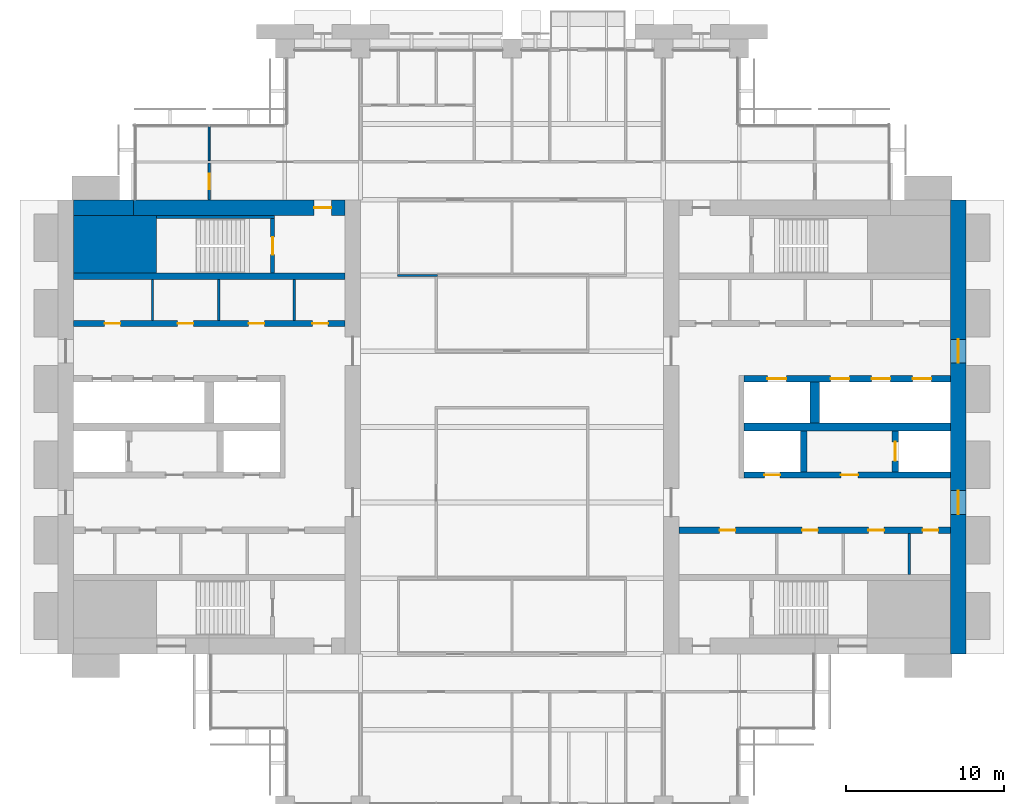
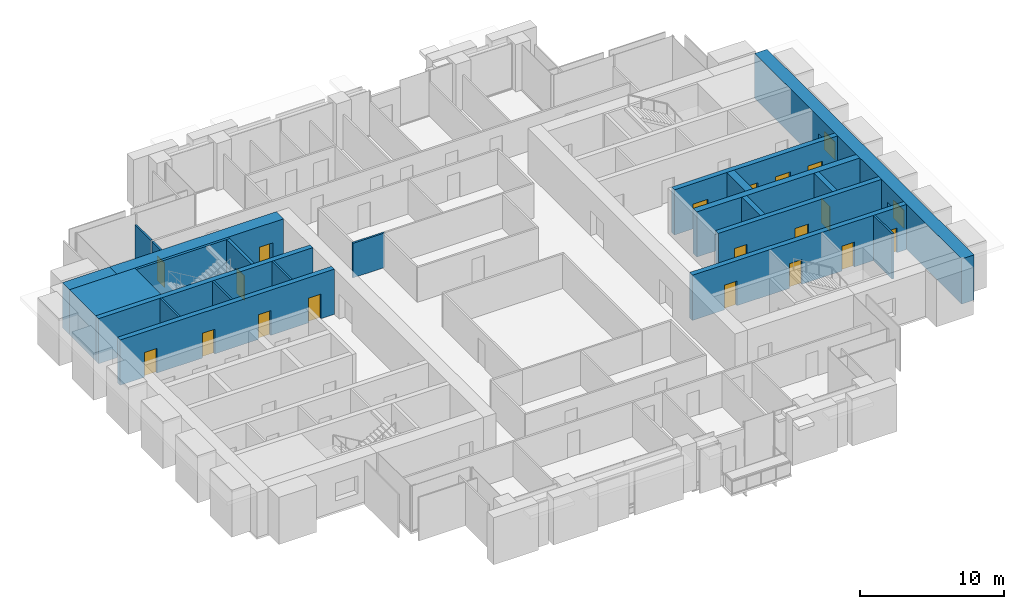
# One storey, part 11 of 15: 22 walls, 18 doors, 2 windows, 20 openings.
"""IFC4 building model written with IfcOpenShell, lengths in metres."""

from ifc_helpers import new_model, si_unit, direction, frame, frame_2d, origin, place, context, subcontext, project, spatial, rectangle, extrude, material, layer, layer_set, type_object, element, fill, save


model = new_model("IFC4")

# Units and contexts
model_context = context("Model", 3, precision=1e-05, world=origin(), true_north=direction((0.0, 1.0)))
body_context = subcontext(model_context, "Body", "Model", "MODEL_VIEW")
ifc_project = project(units=[si_unit("LENGTHUNIT", "METRE"), si_unit("AREAUNIT", "SQUARE_METRE"), si_unit("VOLUMEUNIT", "CUBIC_METRE"), si_unit("PLANEANGLEUNIT", "RADIAN"), si_unit("MASSUNIT", "GRAM", prefix="KILO")], contexts=[model_context])

# Site, building, storey
site_placement = place(None, origin())
site = spatial("IfcSite", under=ifc_project, at=site_placement, CompositionType="ELEMENT")
building_placement = place(site_placement, origin())
building = spatial("IfcBuilding", under=site, at=building_placement, Name="Baori Bourse Tower", CompositionType="ELEMENT")
storey_placement = place(building_placement, frame((0.0, 0.0, 140.10009765625)))
storey = spatial("IfcBuildingStorey", under=building, at=storey_placement, Name="L30", CompositionType="ELEMENT", Elevation=140.10009765625)

# Walls
ifc_material_1 = material(Name="Concrete f'c 60 MPa", Category="concrete")
wall_type_1 = type_object("IfcWallType", Name="Core corner block f'c 60", PredefinedType="SHEAR", material=ifc_material_1)
wall_1_placement = place(storey_placement, frame((1.0, 35.574951171875, 0.0), z_axis=(0.0, 0.0, 1.0), x_axis=(1.0, 0.0, 0.0)))
element("IfcWall", 1, at=wall_1_placement, inside=storey, type_object=wall_type_1, Name="Core wall W26", PredefinedType="SHEAR", context=body_context, shape_type="SweptSolid", body=[
    extrude(rectangle(XDim=5.25, YDim=3.64990234375, at=frame_2d((2.625, 0.0))), origin(), (0.0, 0.0, 1.0), 3.83984375),
])
ifc_material_2 = material(Name="Blockwork partition", Category="masonry")
ifc_layer_1 = layer(ifc_material_2, 0.14990234375)
ifc_layer_set_1 = layer_set([ifc_layer_1], Name="Core partition 150")
wall_type_2 = type_object("IfcWallType", Name="Core partition 150", PredefinedType="PARTITIONING", material=ifc_layer_set_1)
for number, where, z_axis, x_axis, name in (
    (2, (6.0, 30.75, 0.0), (0.0, 0.0, 1.0), (0.0, 1.0, 0.0), "Partition wall W22"),
    (3, (10.199951171875, 30.75, 0.0), (0.0, 0.0, 1.0), (0.0, 1.0, 0.0), "Partition wall W23"),
    (4, (15.0, 30.75, 0.0), (0.0, 0.0, 1.0), (0.0, 1.0, 0.0), "Partition wall W24"),
    (5, (54.0, 14.64990234375, 0.0), (0.0, 0.0, 1.0), (0.0, 1.0, 0.0), "Partition wall E10"),
):
    element("IfcWall", number, at=place(storey_placement, frame(where, z_axis=z_axis, x_axis=x_axis)), inside=storey, type_object=wall_type_2, Name=name, PredefinedType="PARTITIONING", context=body_context, shape_type="SweptSolid", body=[
        extrude(rectangle(XDim=2.60009765625, YDim=0.14990234375, at=frame_2d((1.300048828125, 0.0))), origin(), (0.0, 0.0, 1.0), 3.83984375),
    ])
ifc_material_3 = material(Name="Concrete f'c 60 MPa", Category="concrete")
ifc_layer_2 = layer(ifc_material_3, 1.0)
ifc_layer_set_2 = layer_set([ifc_layer_2], Name="Core wall 1000 f'c 60")
wall_type_3 = type_object("IfcWallType", Name="Core wall 1000 f'c 60", PredefinedType="SHEAR", material=ifc_layer_set_2)
wall_2_placement = place(storey_placement, frame((1.0, 37.89990234375, 0.0), z_axis=(0.0, 0.0, 1.0), x_axis=(1.0, 0.0, 0.0)))
element("IfcWall", 6, at=wall_2_placement, inside=storey, type_object=wall_type_3, Name="Core wall W29", PredefinedType="SHEAR", context=body_context, shape_type="SweptSolid", body=[
    extrude(rectangle(XDim=3.800048828125, YDim=1.0, at=frame_2d((1.89990234375, 0.0))), origin(), (0.0, 0.0, 1.0), 3.83984375),
])

# Wall, opening, door
wall_3_placement = place(storey_placement, frame((4.800048828125, 37.89990234375, 0.0), z_axis=(0.0, 0.0, 1.0), x_axis=(1.0, 0.0, 0.0)))
wall_3 = element("IfcWall", 7, at=wall_3_placement, inside=storey, type_object=wall_type_3, Name="Core wall W30", PredefinedType="SHEAR", context=body_context, shape_type="SweptSolid", body=[
    extrude(rectangle(XDim=13.39990234375, YDim=1.0, at=frame_2d((6.699951171875, 0.0))), origin(), (0.0, 0.0, 1.0), 3.83984375),
])
opening_1_placement = place(wall_3_placement, frame((11.449951171875, 0.0, 0.0)))
opening_1 = element("IfcOpeningElement", 8, at=opening_1_placement, cuts=wall_3, Name="Opening L30-D104", PredefinedType="OPENING", context=body_context, shape_type="SweptSolid", body=[
    extrude(rectangle(XDim=1.10009765625, YDim=2.10009765625, at=frame_2d((0.550048828125, 1.050048828125))), frame((0.0, 0.510009765625, 0.0), z_axis=(0.0, -1.0, 0.0), x_axis=(1.0, 0.0, 0.0)), (0.0, 0.0, 1.0), 1.02001953125),
])
ifc_material_4 = material(Name="Painted steel door", Category="steel")
door_type_1 = type_object("IfcDoorType", Name="Stair door 1100", OperationType="SINGLE_SWING_LEFT", PredefinedType="DOOR", material=ifc_material_4)
door_1_placement = place(opening_1_placement, origin())
door_1 = element("IfcDoor", 9, at=door_1_placement, inside=storey, type_object=door_type_1, Name="Stair vestibule door B W L30", OperationType="SINGLE_SWING_LEFT", OverallHeight=2.10009765625, OverallWidth=1.10009765625, PredefinedType="DOOR", context=body_context, shape_type="SweptSolid", body=[
    extrude(rectangle(XDim=1.10009765625, YDim=2.10009765625, at=frame_2d((0.550048828125, 1.050048828125))), frame((0.0, 0.02490234375, 0.0), z_axis=(0.0, -1.0, 0.0), x_axis=(1.0, 0.0, 0.0)), (0.0, 0.0, 1.0), 0.050048828125),
])
fill(opening_1, door_1)

# Wall, openings, windows
wall_4_placement = place(storey_placement, frame((57.10009765625, 38.39990234375, 0.0), z_axis=(0.0, 0.0, 1.0), x_axis=(0.0, -1.0, 0.0)))
wall_4 = element("IfcWall", 10, at=wall_4_placement, inside=storey, type_object=wall_type_3, Name="Core wall E01", PredefinedType="SHEAR", context=body_context, shape_type="SweptSolid", body=[
    extrude(rectangle(XDim=28.7998046875, YDim=1.0, at=frame_2d((14.39990234375, 0.0))), origin(), (0.0, 0.0, 1.0), 3.83984375),
])
opening_2_placement = place(wall_4_placement, frame((18.449951171875, 0.0, 0.89990234375)))
opening_2 = element("IfcOpeningElement", 11, at=opening_2_placement, cuts=wall_4, Name="Opening L30-KW201", PredefinedType="OPENING", context=body_context, shape_type="SweptSolid", body=[
    extrude(rectangle(XDim=1.5, YDim=1.5, at=frame_2d((0.75, 0.75))), frame((0.0, 0.510009765625, 0.0), z_axis=(0.0, -1.0, 0.0), x_axis=(1.0, 0.0, 0.0)), (0.0, 0.0, 1.0), 1.02001953125),
])
opening_3_placement = place(wall_4_placement, frame((8.85009765625, 0.0, 0.89990234375)))
opening_3 = element("IfcOpeningElement", 12, at=opening_3_placement, cuts=wall_4, Name="Opening L30-KW202", PredefinedType="OPENING", context=body_context, shape_type="SweptSolid", body=[
    extrude(rectangle(XDim=1.5, YDim=1.5, at=frame_2d((0.75, 0.75))), frame((0.0, 0.510009765625, 0.0), z_axis=(0.0, -1.0, 0.0), x_axis=(1.0, 0.0, 0.0)), (0.0, 0.0, 1.0), 1.02001953125),
])
ifc_material_5 = material(Name="Pale anodised aluminium", Category="aluminium")
window_type = type_object("IfcWindowType", Name="Lobby window 1500 x 1500", PartitioningType="SINGLE_PANEL", PredefinedType="WINDOW", material=ifc_material_5)
window_1_placement = place(opening_2_placement, origin())
window_1 = element("IfcWindow", 13, at=window_1_placement, inside=storey, type_object=window_type, Name="Outer wall window E L30 1", OverallHeight=1.5, OverallWidth=1.5, PartitioningType="SINGLE_PANEL", PredefinedType="WINDOW", context=body_context, shape_type="SweptSolid", body=[
    extrude(rectangle(XDim=1.5, YDim=1.5, at=frame_2d((0.75, 0.75))), frame((0.0, 0.030029296875, 0.0), z_axis=(0.0, -1.0, 0.0), x_axis=(1.0, 0.0, 0.0)), (0.0, 0.0, 1.0), 0.06005859375),
])
fill(opening_2, window_1)
window_2_placement = place(opening_3_placement, origin())
window_2 = element("IfcWindow", 14, at=window_2_placement, inside=storey, type_object=window_type, Name="Outer wall window E L30 2", OverallHeight=1.5, OverallWidth=1.5, PartitioningType="SINGLE_PANEL", PredefinedType="WINDOW", context=body_context, shape_type="SweptSolid", body=[
    extrude(rectangle(XDim=1.5, YDim=1.5, at=frame_2d((0.75, 0.75))), frame((0.0, 0.030029296875, 0.0), z_axis=(0.0, -1.0, 0.0), x_axis=(1.0, 0.0, 0.0)), (0.0, 0.0, 1.0), 0.06005859375),
])
fill(opening_3, window_2)

# Wall
ifc_material_6 = material(Name="Gypsum board partition")
ifc_layer_3 = layer(ifc_material_6, 0.14990234375)
ifc_layer_set_3 = layer_set([ifc_layer_3], Name="Corridor partition 150")
wall_type_4 = type_object("IfcWallType", Name="Corridor partition 150", PredefinedType="PARTITIONING", material=ifc_layer_set_3)
wall_5_placement = place(storey_placement, frame((21.52490234375, 33.60009765625, 0.0), z_axis=(0.0, 0.0, 1.0), x_axis=(1.0, 0.0, 0.0)))
element("IfcWall", 15, at=wall_5_placement, inside=storey, type_object=wall_type_4, Name="Partition", PredefinedType="PARTITIONING", context=body_context, shape_type="SweptSolid", body=[
    extrude(rectangle(XDim=2.550048828125, YDim=0.14990234375, at=frame_2d((1.27490234375, 0.0))), origin(), (0.0, 0.0, 1.0), 2.935546875),
])

# Wall, opening, door
wall_6_placement = place(storey_placement, frame((9.60009765625, 38.39990234375, 0.0), z_axis=(0.0, 0.0, 1.0), x_axis=(0.0, 1.0, 0.0)))
wall_6 = element("IfcWall", 16, at=wall_6_placement, inside=storey, type_object=wall_type_4, Name="Partition", PredefinedType="PARTITIONING", context=body_context, shape_type="SweptSolid", body=[
    extrude(rectangle(XDim=2.3251953125, YDim=0.14990234375, at=frame_2d((1.16259765625, 0.0))), origin(), (0.0, 0.0, 1.0), 2.935546875),
])
opening_4_placement = place(wall_6_placement, frame((0.66259765625, 0.0, 0.0)))
opening_4 = element("IfcOpeningElement", 17, at=opening_4_placement, cuts=wall_6, Name="Opening L30-D22", PredefinedType="OPENING", context=body_context, shape_type="SweptSolid", body=[
    extrude(rectangle(XDim=1.0, YDim=2.10009765625, at=frame_2d((0.5, 1.050048828125))), frame((0.0, 0.0849609375, 0.0), z_axis=(0.0, -1.0, 0.0), x_axis=(1.0, 0.0, 0.0)), (0.0, 0.0, 1.0), 0.169921875),
])
ifc_material_7 = material(Name="Timber door leaf", Category="wood")
door_type_2 = type_object("IfcDoorType", Name="Door 1000 x 2100", OperationType="SINGLE_SWING_LEFT", PredefinedType="DOOR", material=ifc_material_7)
door_2_placement = place(opening_4_placement, origin())
door_2 = element("IfcDoor", 18, at=door_2_placement, inside=storey, type_object=door_type_2, Name="Door", OperationType="SINGLE_SWING_RIGHT", OverallHeight=2.10009765625, OverallWidth=1.0, PredefinedType="DOOR", context=body_context, shape_type="SweptSolid", body=[
    extrude(rectangle(XDim=1.0, YDim=2.10009765625, at=frame_2d((0.5, 1.050048828125))), frame((0.0, 0.02490234375, 0.0), z_axis=(0.0, -1.0, 0.0), x_axis=(1.0, 0.0, 0.0)), (0.0, 0.0, 1.0), 0.050048828125),
])
fill(opening_4, door_2)

# Walls
ifc_material_8 = material(Name="Gypsum board partition")
ifc_layer_4 = layer(ifc_material_8, 0.125)
ifc_layer_set_4 = layer_set([ifc_layer_4], Name="Partition 125")
wall_type_5 = type_object("IfcWallType", Name="Partition 125", PredefinedType="PARTITIONING", material=ifc_layer_set_4)
wall_7_placement = place(storey_placement, frame((9.60009765625, 40.875, 0.0), z_axis=(0.0, 0.0, 1.0), x_axis=(0.0, 1.0, 0.0)))
element("IfcWall", 19, at=wall_7_placement, inside=storey, type_object=wall_type_5, Name="Partition", PredefinedType="PARTITIONING", context=body_context, shape_type="SweptSolid", body=[
    extrude(rectangle(XDim=2.22509765625, YDim=0.125, at=frame_2d((1.112548828125, 0.0))), origin(), (0.0, 0.0, 1.0), 2.935546875),
])
ifc_material_9 = material(Name="Concrete f'c 60 MPa", Category="concrete")
ifc_layer_5 = layer(ifc_material_9, 0.199951171875)
ifc_layer_set_5 = layer_set([ifc_layer_5], Name="Shaft wall 200 f'c 60")
wall_type_6 = type_object("IfcWallType", Name="Shaft wall 200 f'c 60", PredefinedType="SHEAR", material=ifc_layer_set_5)
wall_8_placement = place(storey_placement, frame((6.25, 37.300048828125, 0.0), z_axis=(0.0, 0.0, 1.0), x_axis=(1.0, 0.0, 0.0)))
element("IfcWall", 20, at=wall_8_placement, inside=storey, type_object=wall_type_6, Name="Core wall W28", PredefinedType="SHEAR", context=body_context, shape_type="SweptSolid", body=[
    extrude(rectangle(XDim=7.5, YDim=0.199951171875, at=frame_2d((3.75, 0.0))), origin(), (0.0, 0.0, 1.0), 3.83984375),
])

# Wall, opening, door
ifc_material_10 = material(Name="Concrete f'c 60 MPa", Category="concrete")
ifc_layer_6 = layer(ifc_material_10, 0.25)
ifc_layer_set_6 = layer_set([ifc_layer_6], Name="Shaft wall 250 f'c 60")
wall_type_7 = type_object("IfcWallType", Name="Shaft wall 250 f'c 60", PredefinedType="SHEAR", material=ifc_layer_set_6)
wall_9_placement = place(storey_placement, frame((13.625, 33.75, 0.0), z_axis=(0.0, 0.0, 1.0), x_axis=(0.0, 1.0, 0.0)))
wall_9 = element("IfcWall", 21, at=wall_9_placement, inside=storey, type_object=wall_type_7, Name="Core wall W27", PredefinedType="SHEAR", context=body_context, shape_type="SweptSolid", body=[
    extrude(rectangle(XDim=3.449951171875, YDim=0.25, at=frame_2d((1.72509765625, 0.0))), origin(), (0.0, 0.0, 1.0), 3.83984375),
])
opening_5_placement = place(wall_9_placement, frame((1.175048828125, 0.0, 0.0)))
opening_5 = element("IfcOpeningElement", 22, at=opening_5_placement, cuts=wall_9, Name="Opening L30-D103", PredefinedType="OPENING", context=body_context, shape_type="SweptSolid", body=[
    extrude(rectangle(XDim=1.10009765625, YDim=2.10009765625, at=frame_2d((0.550048828125, 1.050048828125))), frame((0.0, 0.135009765625, 0.0), z_axis=(0.0, -1.0, 0.0), x_axis=(1.0, 0.0, 0.0)), (0.0, 0.0, 1.0), 0.27001953125),
])
door_3_placement = place(opening_5_placement, origin())
door_3 = element("IfcDoor", 23, at=door_3_placement, inside=storey, type_object=door_type_1, Name="Stair door B W L30", OperationType="SINGLE_SWING_LEFT", OverallHeight=2.10009765625, OverallWidth=1.10009765625, PredefinedType="DOOR", context=body_context, shape_type="SweptSolid", body=[
    extrude(rectangle(XDim=1.10009765625, YDim=2.10009765625, at=frame_2d((0.550048828125, 1.050048828125))), frame((0.0, 0.02490234375, 0.0), z_axis=(0.0, -1.0, 0.0), x_axis=(1.0, 0.0, 0.0)), (0.0, 0.0, 1.0), 0.050048828125),
])
fill(opening_5, door_3)

# Wall, openings, doors
ifc_material_11 = material(Name="Concrete f'c 60 MPa", Category="concrete")
ifc_layer_7 = layer(ifc_material_11, 0.39990234375)
ifc_layer_set_7 = layer_set([ifc_layer_7], Name="Shaft wall 400 f'c 60")
wall_type_8 = type_object("IfcWallType", Name="Shaft wall 400 f'c 60", PredefinedType="SHEAR", material=ifc_layer_set_7)
wall_10_placement = place(storey_placement, frame((1.0, 30.550048828125, 0.0), z_axis=(0.0, 0.0, 1.0), x_axis=(1.0, 0.0, 0.0)))
wall_10 = element("IfcWall", 24, at=wall_10_placement, inside=storey, type_object=wall_type_8, Name="Core wall W21", PredefinedType="SHEAR", context=body_context, shape_type="SweptSolid", body=[
    extrude(rectangle(XDim=17.199951171875, YDim=0.39990234375, at=frame_2d((8.60009765625, 0.0))), origin(), (0.0, 0.0, 1.0), 3.83984375),
])
opening_6_placement = place(wall_10_placement, frame((1.96240234375, 0.0, 0.0)))
opening_6 = element("IfcOpeningElement", 25, at=opening_6_placement, cuts=wall_10, Name="Opening L30-D109", PredefinedType="OPENING", context=body_context, shape_type="SweptSolid", body=[
    extrude(rectangle(XDim=1.0, YDim=2.10009765625, at=frame_2d((0.5, 1.050048828125))), frame((0.0, 0.2099609375, 0.0), z_axis=(0.0, -1.0, 0.0), x_axis=(1.0, 0.0, 0.0)), (0.0, 0.0, 1.0), 0.419921875),
])
opening_7_placement = place(wall_10_placement, frame((6.60009765625, 0.0, 0.0)))
opening_7 = element("IfcOpeningElement", 26, at=opening_7_placement, cuts=wall_10, Name="Opening L30-D110", PredefinedType="OPENING", context=body_context, shape_type="SweptSolid", body=[
    extrude(rectangle(XDim=1.0, YDim=2.10009765625, at=frame_2d((0.5, 1.050048828125))), frame((0.0, 0.2099609375, 0.0), z_axis=(0.0, -1.0, 0.0), x_axis=(1.0, 0.0, 0.0)), (0.0, 0.0, 1.0), 0.419921875),
])
opening_8_placement = place(wall_10_placement, frame((11.10009765625, 0.0, 0.0)))
opening_8 = element("IfcOpeningElement", 27, at=opening_8_placement, cuts=wall_10, Name="Opening L30-D111", PredefinedType="OPENING", context=body_context, shape_type="SweptSolid", body=[
    extrude(rectangle(XDim=1.0, YDim=2.10009765625, at=frame_2d((0.5, 1.050048828125))), frame((0.0, 0.2099609375, 0.0), z_axis=(0.0, -1.0, 0.0), x_axis=(1.0, 0.0, 0.0)), (0.0, 0.0, 1.0), 0.419921875),
])
opening_9_placement = place(wall_10_placement, frame((15.137451171875, 0.0, 0.0)))
opening_9 = element("IfcOpeningElement", 28, at=opening_9_placement, cuts=wall_10, Name="Opening L30-D112", PredefinedType="OPENING", context=body_context, shape_type="SweptSolid", body=[
    extrude(rectangle(XDim=1.0, YDim=2.10009765625, at=frame_2d((0.5, 1.050048828125))), frame((0.0, 0.2099609375, 0.0), z_axis=(0.0, -1.0, 0.0), x_axis=(1.0, 0.0, 0.0)), (0.0, 0.0, 1.0), 0.419921875),
])
ifc_material_12 = material(Name="Painted steel door", Category="steel")
door_type_3 = type_object("IfcDoorType", Name="Core door 1000", OperationType="SINGLE_SWING_LEFT", PredefinedType="DOOR", material=ifc_material_12)
door_4_placement = place(opening_6_placement, origin())
door_4 = element("IfcDoor", 29, at=door_4_placement, inside=storey, type_object=door_type_3, Name="Men'S Wc door W L30", OperationType="SINGLE_SWING_LEFT", OverallHeight=2.10009765625, OverallWidth=1.0, PredefinedType="DOOR", context=body_context, shape_type="SweptSolid", body=[
    extrude(rectangle(XDim=1.0, YDim=2.10009765625, at=frame_2d((0.5, 1.050048828125))), frame((0.0, 0.02490234375, 0.0), z_axis=(0.0, -1.0, 0.0), x_axis=(1.0, 0.0, 0.0)), (0.0, 0.0, 1.0), 0.050048828125),
])
fill(opening_6, door_4)
door_5_placement = place(opening_7_placement, origin())
door_5 = element("IfcDoor", 30, at=door_5_placement, inside=storey, type_object=door_type_3, Name="Accessible Wc door W L30", OperationType="SINGLE_SWING_LEFT", OverallHeight=2.10009765625, OverallWidth=1.0, PredefinedType="DOOR", context=body_context, shape_type="SweptSolid", body=[
    extrude(rectangle(XDim=1.0, YDim=2.10009765625, at=frame_2d((0.5, 1.050048828125))), frame((0.0, 0.02490234375, 0.0), z_axis=(0.0, -1.0, 0.0), x_axis=(1.0, 0.0, 0.0)), (0.0, 0.0, 1.0), 0.050048828125),
])
fill(opening_7, door_5)
door_6_placement = place(opening_8_placement, origin())
door_6 = element("IfcDoor", 31, at=door_6_placement, inside=storey, type_object=door_type_3, Name="Women'S Wc door W L30", OperationType="SINGLE_SWING_LEFT", OverallHeight=2.10009765625, OverallWidth=1.0, PredefinedType="DOOR", context=body_context, shape_type="SweptSolid", body=[
    extrude(rectangle(XDim=1.0, YDim=2.10009765625, at=frame_2d((0.5, 1.050048828125))), frame((0.0, 0.02490234375, 0.0), z_axis=(0.0, -1.0, 0.0), x_axis=(1.0, 0.0, 0.0)), (0.0, 0.0, 1.0), 0.050048828125),
])
fill(opening_8, door_6)
ifc_material_13 = material(Name="Painted steel door", Category="steel")
door_type_4 = type_object("IfcDoorType", Name="Plant room door 1000", OperationType="SINGLE_SWING_LEFT", PredefinedType="DOOR", material=ifc_material_13)
door_7_placement = place(opening_9_placement, origin())
door_7 = element("IfcDoor", 32, at=door_7_placement, inside=storey, type_object=door_type_4, Name="Plumbing Equipment Room door W L30", OperationType="SINGLE_SWING_LEFT", OverallHeight=2.10009765625, OverallWidth=1.0, PredefinedType="DOOR", context=body_context, shape_type="SweptSolid", body=[
    extrude(rectangle(XDim=1.0, YDim=2.10009765625, at=frame_2d((0.5, 1.050048828125))), frame((0.0, 0.02490234375, 0.0), z_axis=(0.0, -1.0, 0.0), x_axis=(1.0, 0.0, 0.0)), (0.0, 0.0, 1.0), 0.050048828125),
])
fill(opening_9, door_7)

# Wall
wall_11_placement = place(storey_placement, frame((1.0, 33.550048828125, 0.0), z_axis=(0.0, 0.0, 1.0), x_axis=(1.0, 0.0, 0.0)))
element("IfcWall", 33, at=wall_11_placement, inside=storey, type_object=wall_type_8, Name="Core wall W25", PredefinedType="SHEAR", context=body_context, shape_type="SweptSolid", body=[
    extrude(rectangle(XDim=17.199951171875, YDim=0.39990234375, at=frame_2d((8.60009765625, 0.0))), origin(), (0.0, 0.0, 1.0), 3.83984375),
])

# Wall, openings, doors
wall_12_placement = place(storey_placement, frame((39.39990234375, 17.449951171875, 0.0), z_axis=(0.0, 0.0, 1.0), x_axis=(1.0, 0.0, 0.0)))
wall_12 = element("IfcWall", 34, at=wall_12_placement, inside=storey, type_object=wall_type_8, Name="Core wall E13", PredefinedType="SHEAR", context=body_context, shape_type="SweptSolid", body=[
    extrude(rectangle(XDim=17.2001953125, YDim=0.39990234375, at=frame_2d((8.60009765625, 0.0))), origin(), (0.0, 0.0, 1.0), 3.83984375),
])
opening_10_placement = place(wall_12_placement, frame((15.4375, 0.0, 0.0)))
opening_10 = element("IfcOpeningElement", 35, at=opening_10_placement, cuts=wall_12, Name="Opening L30-D213", PredefinedType="OPENING", context=body_context, shape_type="SweptSolid", body=[
    extrude(rectangle(XDim=1.0, YDim=2.10009765625, at=frame_2d((0.5, 1.050048828125))), frame((0.0, 0.2099609375, 0.0), z_axis=(0.0, -1.0, 0.0), x_axis=(1.0, 0.0, 0.0)), (0.0, 0.0, 1.0), 0.419921875),
])
opening_11_placement = place(wall_12_placement, frame((12.0, 0.0, 0.0)))
opening_11 = element("IfcOpeningElement", 36, at=opening_11_placement, cuts=wall_12, Name="Opening L30-D214", PredefinedType="OPENING", context=body_context, shape_type="SweptSolid", body=[
    extrude(rectangle(XDim=1.0, YDim=2.10009765625, at=frame_2d((0.5, 1.050048828125))), frame((0.0, 0.2099609375, 0.0), z_axis=(0.0, -1.0, 0.0), x_axis=(1.0, 0.0, 0.0)), (0.0, 0.0, 1.0), 0.419921875),
])
opening_12_placement = place(wall_12_placement, frame((7.800048828125, 0.0, 0.0)))
opening_12 = element("IfcOpeningElement", 37, at=opening_12_placement, cuts=wall_12, Name="Opening L30-D215", PredefinedType="OPENING", context=body_context, shape_type="SweptSolid", body=[
    extrude(rectangle(XDim=1.0, YDim=2.10009765625, at=frame_2d((0.5, 1.050048828125))), frame((0.0, 0.2099609375, 0.0), z_axis=(0.0, -1.0, 0.0), x_axis=(1.0, 0.0, 0.0)), (0.0, 0.0, 1.0), 0.419921875),
])
opening_13_placement = place(wall_12_placement, frame((2.5625, 0.0, 0.0)))
opening_13 = element("IfcOpeningElement", 38, at=opening_13_placement, cuts=wall_12, Name="Opening L30-D216", PredefinedType="OPENING", context=body_context, shape_type="SweptSolid", body=[
    extrude(rectangle(XDim=1.0, YDim=2.10009765625, at=frame_2d((0.5, 1.050048828125))), frame((0.0, 0.2099609375, 0.0), z_axis=(0.0, -1.0, 0.0), x_axis=(1.0, 0.0, 0.0)), (0.0, 0.0, 1.0), 0.419921875),
])
door_8_placement = place(opening_10_placement, origin())
door_8 = element("IfcDoor", 39, at=door_8_placement, inside=storey, type_object=door_type_3, Name="Janitor'S Closet door E L30", OperationType="SINGLE_SWING_LEFT", OverallHeight=2.10009765625, OverallWidth=1.0, PredefinedType="DOOR", context=body_context, shape_type="SweptSolid", body=[
    extrude(rectangle(XDim=1.0, YDim=2.10009765625, at=frame_2d((0.5, 1.050048828125))), frame((0.0, 0.02490234375, 0.0), z_axis=(0.0, -1.0, 0.0), x_axis=(1.0, 0.0, 0.0)), (0.0, 0.0, 1.0), 0.050048828125),
])
fill(opening_10, door_8)
door_9_placement = place(opening_11_placement, origin())
door_9 = element("IfcDoor", 40, at=door_9_placement, inside=storey, type_object=door_type_3, Name="Women'S Wc door E L30", OperationType="SINGLE_SWING_LEFT", OverallHeight=2.10009765625, OverallWidth=1.0, PredefinedType="DOOR", context=body_context, shape_type="SweptSolid", body=[
    extrude(rectangle(XDim=1.0, YDim=2.10009765625, at=frame_2d((0.5, 1.050048828125))), frame((0.0, 0.02490234375, 0.0), z_axis=(0.0, -1.0, 0.0), x_axis=(1.0, 0.0, 0.0)), (0.0, 0.0, 1.0), 0.050048828125),
])
fill(opening_11, door_9)
door_10_placement = place(opening_12_placement, origin())
door_10 = element("IfcDoor", 41, at=door_10_placement, inside=storey, type_object=door_type_3, Name="Accessible Wc door E L30", OperationType="SINGLE_SWING_LEFT", OverallHeight=2.10009765625, OverallWidth=1.0, PredefinedType="DOOR", context=body_context, shape_type="SweptSolid", body=[
    extrude(rectangle(XDim=1.0, YDim=2.10009765625, at=frame_2d((0.5, 1.050048828125))), frame((0.0, 0.02490234375, 0.0), z_axis=(0.0, -1.0, 0.0), x_axis=(1.0, 0.0, 0.0)), (0.0, 0.0, 1.0), 0.050048828125),
])
fill(opening_12, door_10)
door_11_placement = place(opening_13_placement, origin())
door_11 = element("IfcDoor", 42, at=door_11_placement, inside=storey, type_object=door_type_3, Name="Men'S Wc door E L30", OperationType="SINGLE_SWING_LEFT", OverallHeight=2.10009765625, OverallWidth=1.0, PredefinedType="DOOR", context=body_context, shape_type="SweptSolid", body=[
    extrude(rectangle(XDim=1.0, YDim=2.10009765625, at=frame_2d((0.5, 1.050048828125))), frame((0.0, 0.02490234375, 0.0), z_axis=(0.0, -1.0, 0.0), x_axis=(1.0, 0.0, 0.0)), (0.0, 0.0, 1.0), 0.050048828125),
])
fill(opening_13, door_11)

wall_13_placement = place(storey_placement, frame((43.5, 20.949951171875, 0.0), z_axis=(0.0, 0.0, 1.0), x_axis=(1.0, 0.0, 0.0)))
wall_13 = element("IfcWall", 43, at=wall_13_placement, inside=storey, type_object=wall_type_8, Name="Core wall E14", PredefinedType="SHEAR", context=body_context, shape_type="SweptSolid", body=[
    extrude(rectangle(XDim=13.10009765625, YDim=0.39990234375, at=frame_2d((6.550048828125, 0.0))), origin(), (0.0, 0.0, 1.0), 3.83984375),
])
opening_14_placement = place(wall_13_placement, frame((6.14990234375, 0.0, 0.0)))
opening_14 = element("IfcOpeningElement", 44, at=opening_14_placement, cuts=wall_13, Name="Opening L30-D205", PredefinedType="OPENING", context=body_context, shape_type="SweptSolid", body=[
    extrude(rectangle(XDim=1.10009765625, YDim=2.10009765625, at=frame_2d((0.550048828125, 1.050048828125))), frame((0.0, 0.2099609375, 0.0), z_axis=(0.0, -1.0, 0.0), x_axis=(1.0, 0.0, 0.0)), (0.0, 0.0, 1.0), 0.419921875),
])
opening_15_placement = place(wall_13_placement, frame((1.300048828125, 0.0, 0.0)))
opening_15 = element("IfcOpeningElement", 45, at=opening_15_placement, cuts=wall_13, Name="Opening L30-D206", PredefinedType="OPENING", context=body_context, shape_type="SweptSolid", body=[
    extrude(rectangle(XDim=1.0, YDim=2.10009765625, at=frame_2d((0.5, 1.050048828125))), frame((0.0, 0.2099609375, 0.0), z_axis=(0.0, -1.0, 0.0), x_axis=(1.0, 0.0, 0.0)), (0.0, 0.0, 1.0), 0.419921875),
])
ifc_material_14 = material(Name="Painted steel door", Category="steel")
door_type_5 = type_object("IfcDoorType", Name="Lobby door 1100", OperationType="SINGLE_SWING_LEFT", PredefinedType="DOOR", material=ifc_material_14)
door_12_placement = place(opening_14_placement, origin())
door_12 = element("IfcDoor", 46, at=door_12_placement, inside=storey, type_object=door_type_5, Name="Firefighting lobby door E L30", OperationType="SINGLE_SWING_LEFT", OverallHeight=2.10009765625, OverallWidth=1.10009765625, PredefinedType="DOOR", context=body_context, shape_type="SweptSolid", body=[
    extrude(rectangle(XDim=1.10009765625, YDim=2.10009765625, at=frame_2d((0.550048828125, 1.050048828125))), frame((0.0, 0.02490234375, 0.0), z_axis=(0.0, -1.0, 0.0), x_axis=(1.0, 0.0, 0.0)), (0.0, 0.0, 1.0), 0.050048828125),
])
fill(opening_14, door_12)
ifc_material_15 = material(Name="Painted steel door", Category="steel")
door_type_6 = type_object("IfcDoorType", Name="Shaft door 1000", OperationType="SINGLE_SWING_LEFT", PredefinedType="DOOR", material=ifc_material_15)
door_13_placement = place(opening_15_placement, origin())
door_13 = element("IfcDoor", 47, at=door_13_placement, inside=storey, type_object=door_type_6, Name="Riser room door E L30", OperationType="SINGLE_SWING_LEFT", OverallHeight=2.10009765625, OverallWidth=1.0, PredefinedType="DOOR", context=body_context, shape_type="SweptSolid", body=[
    extrude(rectangle(XDim=1.0, YDim=2.10009765625, at=frame_2d((0.5, 1.050048828125))), frame((0.0, 0.02490234375, 0.0), z_axis=(0.0, -1.0, 0.0), x_axis=(1.0, 0.0, 0.0)), (0.0, 0.0, 1.0), 0.050048828125),
])
fill(opening_15, door_13)

# Wall, opening, door
wall_14_placement = place(storey_placement, frame((53.10009765625, 21.14990234375, 0.0), z_axis=(0.0, 0.0, 1.0), x_axis=(0.0, 1.0, 0.0)))
wall_14 = element("IfcWall", 48, at=wall_14_placement, inside=storey, type_object=wall_type_8, Name="Core wall E16", PredefinedType="SHEAR", context=body_context, shape_type="SweptSolid", body=[
    extrude(rectangle(XDim=2.60009765625, YDim=0.39990234375, at=frame_2d((1.300048828125, 0.0))), origin(), (0.0, 0.0, 1.0), 3.83984375),
])
opening_16_placement = place(wall_14_placement, frame((0.699951171875, 0.0, 0.0)))
opening_16 = element("IfcOpeningElement", 49, at=opening_16_placement, cuts=wall_14, Name="Opening L30-D221", PredefinedType="OPENING", context=body_context, shape_type="SweptSolid", body=[
    extrude(rectangle(XDim=1.199951171875, YDim=2.10009765625, at=frame_2d((0.60009765625, 1.050048828125))), frame((0.0, 0.2099609375, 0.0), z_axis=(0.0, -1.0, 0.0), x_axis=(1.0, 0.0, 0.0)), (0.0, 0.0, 1.0), 0.419921875),
])
ifc_material_16 = material(Name="Stainless steel door", Category="steel")
door_type_7 = type_object("IfcDoorType", Name="Lift landing door", OperationType="DOUBLE_DOOR_SLIDING", PredefinedType="DOOR", material=ifc_material_16)
door_14_placement = place(opening_16_placement, origin())
door_14 = element("IfcDoor", 50, at=door_14_placement, inside=storey, type_object=door_type_7, Name="Lift landing door FF2 E L30", OperationType="DOUBLE_DOOR_SLIDING", OverallHeight=2.10009765625, OverallWidth=1.199951171875, PredefinedType="DOOR", context=body_context, shape_type="SweptSolid", body=[
    extrude(rectangle(XDim=1.199951171875, YDim=2.10009765625, at=frame_2d((0.60009765625, 1.050048828125))), frame((0.0, 0.02490234375, 0.0), z_axis=(0.0, -1.0, 0.0), x_axis=(1.0, 0.0, 0.0)), (0.0, 0.0, 1.0), 0.050048828125),
])
fill(opening_16, door_14)

# Wall
wall_15_placement = place(storey_placement, frame((47.300048828125, 21.14990234375, 0.0), z_axis=(0.0, 0.0, 1.0), x_axis=(0.0, 1.0, 0.0)))
element("IfcWall", 51, at=wall_15_placement, inside=storey, type_object=wall_type_8, Name="Core wall E17", PredefinedType="SHEAR", context=body_context, shape_type="SweptSolid", body=[
    extrude(rectangle(XDim=2.60009765625, YDim=0.39990234375, at=frame_2d((1.300048828125, 0.0))), origin(), (0.0, 0.0, 1.0), 3.83984375),
])

# Wall, openings, doors
wall_16_placement = place(storey_placement, frame((43.5, 27.050048828125, 0.0), z_axis=(0.0, 0.0, 1.0), x_axis=(1.0, 0.0, 0.0)))
wall_16 = element("IfcWall", 52, at=wall_16_placement, inside=storey, type_object=wall_type_8, Name="Core wall E20", PredefinedType="SHEAR", context=body_context, shape_type="SweptSolid", body=[
    extrude(rectangle(XDim=13.10009765625, YDim=0.39990234375, at=frame_2d((6.550048828125, 0.0))), origin(), (0.0, 0.0, 1.0), 3.83984375),
])
opening_17_placement = place(wall_16_placement, frame((10.699951171875, 0.0, 0.0)))
opening_17 = element("IfcOpeningElement", 53, at=opening_17_placement, cuts=wall_16, Name="Opening L30-D217", PredefinedType="OPENING", context=body_context, shape_type="SweptSolid", body=[
    extrude(rectangle(XDim=1.199951171875, YDim=2.10009765625, at=frame_2d((0.60009765625, 1.050048828125))), frame((0.0, 0.2099609375, 0.0), z_axis=(0.0, -1.0, 0.0), x_axis=(1.0, 0.0, 0.0)), (0.0, 0.0, 1.0), 0.419921875),
])
opening_18_placement = place(wall_16_placement, frame((8.10009765625, 0.0, 0.0)))
opening_18 = element("IfcOpeningElement", 54, at=opening_18_placement, cuts=wall_16, Name="Opening L30-D218", PredefinedType="OPENING", context=body_context, shape_type="SweptSolid", body=[
    extrude(rectangle(XDim=1.199951171875, YDim=2.10009765625, at=frame_2d((0.60009765625, 1.050048828125))), frame((0.0, 0.2099609375, 0.0), z_axis=(0.0, -1.0, 0.0), x_axis=(1.0, 0.0, 0.0)), (0.0, 0.0, 1.0), 0.419921875),
])
opening_19_placement = place(wall_16_placement, frame((5.5, 0.0, 0.0)))
opening_19 = element("IfcOpeningElement", 55, at=opening_19_placement, cuts=wall_16, Name="Opening L30-D219", PredefinedType="OPENING", context=body_context, shape_type="SweptSolid", body=[
    extrude(rectangle(XDim=1.199951171875, YDim=2.10009765625, at=frame_2d((0.60009765625, 1.050048828125))), frame((0.0, 0.2099609375, 0.0), z_axis=(0.0, -1.0, 0.0), x_axis=(1.0, 0.0, 0.0)), (0.0, 0.0, 1.0), 0.419921875),
])
opening_20_placement = place(wall_16_placement, frame((1.5, 0.0, 0.0)))
opening_20 = element("IfcOpeningElement", 56, at=opening_20_placement, cuts=wall_16, Name="Opening L30-D220", PredefinedType="OPENING", context=body_context, shape_type="SweptSolid", body=[
    extrude(rectangle(XDim=1.199951171875, YDim=2.10009765625, at=frame_2d((0.60009765625, 1.050048828125))), frame((0.0, 0.2099609375, 0.0), z_axis=(0.0, -1.0, 0.0), x_axis=(1.0, 0.0, 0.0)), (0.0, 0.0, 1.0), 0.419921875),
])
door_15_placement = place(opening_17_placement, origin())
door_15 = element("IfcDoor", 57, at=door_15_placement, inside=storey, type_object=door_type_7, Name="Lift landing door SH1 E L30", OperationType="DOUBLE_DOOR_SLIDING", OverallHeight=2.10009765625, OverallWidth=1.199951171875, PredefinedType="DOOR", context=body_context, shape_type="SweptSolid", body=[
    extrude(rectangle(XDim=1.199951171875, YDim=2.10009765625, at=frame_2d((0.60009765625, 1.050048828125))), frame((0.0, 0.02490234375, 0.0), z_axis=(0.0, -1.0, 0.0), x_axis=(1.0, 0.0, 0.0)), (0.0, 0.0, 1.0), 0.050048828125),
])
fill(opening_17, door_15)
door_16_placement = place(opening_18_placement, origin())
door_16 = element("IfcDoor", 58, at=door_16_placement, inside=storey, type_object=door_type_7, Name="Lift landing door SH2 E L30", OperationType="DOUBLE_DOOR_SLIDING", OverallHeight=2.10009765625, OverallWidth=1.199951171875, PredefinedType="DOOR", context=body_context, shape_type="SweptSolid", body=[
    extrude(rectangle(XDim=1.199951171875, YDim=2.10009765625, at=frame_2d((0.60009765625, 1.050048828125))), frame((0.0, 0.02490234375, 0.0), z_axis=(0.0, -1.0, 0.0), x_axis=(1.0, 0.0, 0.0)), (0.0, 0.0, 1.0), 0.050048828125),
])
fill(opening_18, door_16)
door_17_placement = place(opening_19_placement, origin())
door_17 = element("IfcDoor", 59, at=door_17_placement, inside=storey, type_object=door_type_7, Name="Lift landing door SH3 E L30", OperationType="DOUBLE_DOOR_SLIDING", OverallHeight=2.10009765625, OverallWidth=1.199951171875, PredefinedType="DOOR", context=body_context, shape_type="SweptSolid", body=[
    extrude(rectangle(XDim=1.199951171875, YDim=2.10009765625, at=frame_2d((0.60009765625, 1.050048828125))), frame((0.0, 0.02490234375, 0.0), z_axis=(0.0, -1.0, 0.0), x_axis=(1.0, 0.0, 0.0)), (0.0, 0.0, 1.0), 0.050048828125),
])
fill(opening_19, door_17)
door_18_placement = place(opening_20_placement, origin())
door_18 = element("IfcDoor", 60, at=door_18_placement, inside=storey, type_object=door_type_7, Name="Lift landing door SV1 E L30", OperationType="DOUBLE_DOOR_SLIDING", OverallHeight=2.10009765625, OverallWidth=1.199951171875, PredefinedType="DOOR", context=body_context, shape_type="SweptSolid", body=[
    extrude(rectangle(XDim=1.199951171875, YDim=2.10009765625, at=frame_2d((0.60009765625, 1.050048828125))), frame((0.0, 0.02490234375, 0.0), z_axis=(0.0, -1.0, 0.0), x_axis=(1.0, 0.0, 0.0)), (0.0, 0.0, 1.0), 0.050048828125),
])
fill(opening_20, door_18)

# Walls
ifc_material_17 = material(Name="Concrete f'c 60 MPa", Category="concrete")
ifc_layer_8 = layer(ifc_material_17, 0.5)
ifc_layer_set_8 = layer_set([ifc_layer_8], Name="Shaft wall 500 f'c 60")
wall_type_9 = type_object("IfcWallType", Name="Shaft wall 500 f'c 60", PredefinedType="SHEAR", material=ifc_layer_set_8)
wall_17_placement = place(storey_placement, frame((43.5, 24.0, 0.0), z_axis=(0.0, 0.0, 1.0), x_axis=(1.0, 0.0, 0.0)))
element("IfcWall", 61, at=wall_17_placement, inside=storey, type_object=wall_type_9, Name="Core wall E18", PredefinedType="SHEAR", context=body_context, shape_type="SweptSolid", body=[
    extrude(rectangle(XDim=13.10009765625, YDim=0.5, at=frame_2d((6.550048828125, 0.0))), origin(), (0.0, 0.0, 1.0), 3.83984375),
])
ifc_material_18 = material(Name="Concrete f'c 60 MPa", Category="concrete")
ifc_layer_9 = layer(ifc_material_18, 0.60009765625)
ifc_layer_set_9 = layer_set([ifc_layer_9], Name="Shaft wall 600 f'c 60")
wall_type_10 = type_object("IfcWallType", Name="Shaft wall 600 f'c 60", PredefinedType="SHEAR", material=ifc_layer_set_9)
wall_18_placement = place(storey_placement, frame((48.0, 24.25, 0.0), z_axis=(0.0, 0.0, 1.0), x_axis=(0.0, 1.0, 0.0)))
element("IfcWall", 62, at=wall_18_placement, inside=storey, type_object=wall_type_10, Name="Core wall E19", PredefinedType="SHEAR", context=body_context, shape_type="SweptSolid", body=[
    extrude(rectangle(XDim=2.60009765625, YDim=0.60009765625, at=frame_2d((1.300048828125, 0.0))), origin(), (0.0, 0.0, 1.0), 3.83984375),
])

save(model, "model.ifc")
